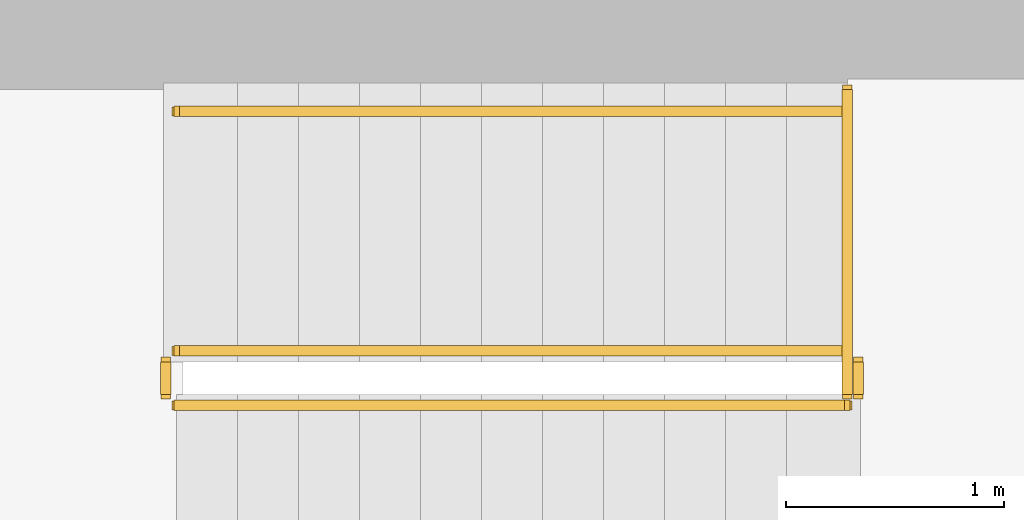
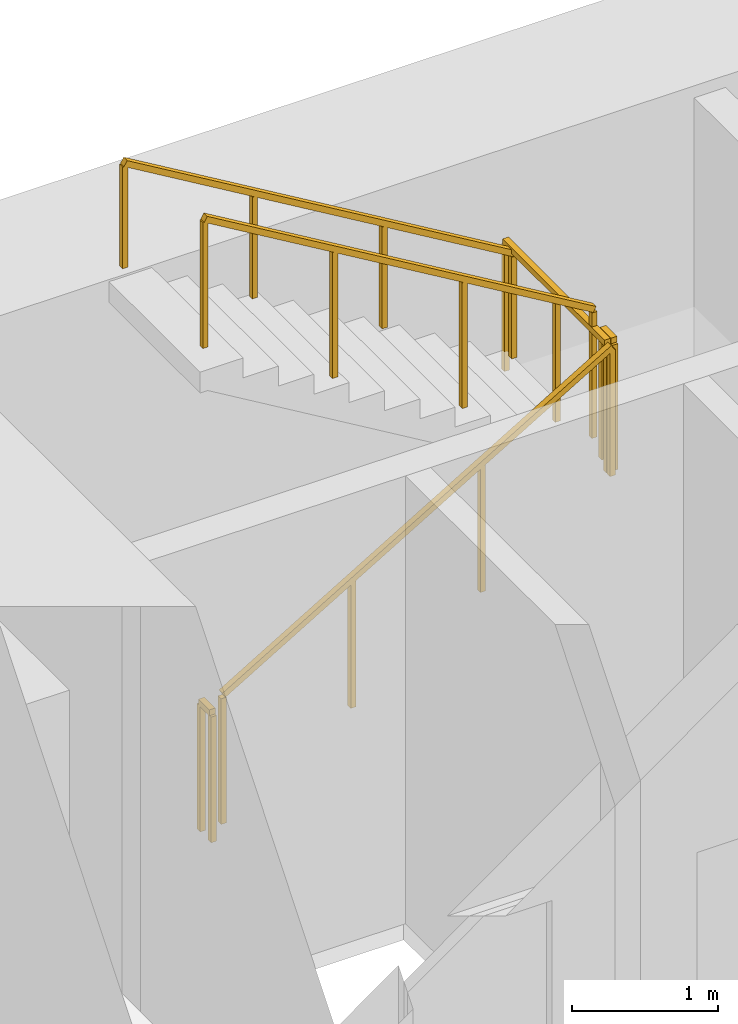
# One storey, part 15 of 16: 6 railings.
"""IFC4 building model written with IfcOpenShell, lengths in metres."""

from ifc_helpers import new_model, si_unit, direction, frame, origin, origin_2d, place, context, subcontext, project, spatial, rectangle, extrude, material, type_object, element, save


model = new_model("IFC4")

# Units and contexts
model_context = context("Model", 3, precision=1e-05, world=origin(), true_north=direction((0.0, 1.0)))
body_context = subcontext(model_context, "Body", "Model", "MODEL_VIEW")
ifc_project = project(units=[si_unit("LENGTHUNIT", "METRE"), si_unit("AREAUNIT", "SQUARE_METRE"), si_unit("VOLUMEUNIT", "CUBIC_METRE"), si_unit("PLANEANGLEUNIT", "RADIAN"), si_unit("MASSUNIT", "GRAM", prefix="KILO")], contexts=[model_context])

# Site, building, storey
site_placement = place(None, origin())
site = spatial("IfcSite", under=ifc_project, at=site_placement, CompositionType="ELEMENT")
building_placement = place(site_placement, origin())
building = spatial("IfcBuilding", under=site, at=building_placement, Name="Sennacour Bend Tower", CompositionType="ELEMENT")
storey_placement = place(building_placement, frame((0.0, 0.0, 127.0)))
storey = spatial("IfcBuildingStorey", under=building, at=storey_placement, Name="L29", CompositionType="ELEMENT", Elevation=127.0)

# Railings
ifc_material = material(Name="Stainless steel", Category="steel")
railing_type_1 = type_object("IfcRailingType", Name="RL-GUARD-1100", PredefinedType="GUARDRAIL", material=ifc_material)
railing_1_placement = place(storey_placement, frame((56.699951171875, 19.85009765625, 0.166748046875)))
element("IfcRailing", 1, at=railing_1_placement, inside=storey, type_object=railing_type_1, Name="L29 SA2 stair guard 1", PredefinedType="GUARDRAIL", context=body_context, shape_type="SweptSolid", body=[
    extrude(rectangle(XDim=0.048095703125, YDim=0.048095703125, at=origin_2d()), frame((0.0, 0.0, 1.076171875), z_axis=(0.859308565015, 0.0, 0.511457515432), x_axis=(0.0, 1.0, 0.0)), (0.0, 0.0, 1.0), 3.58447265625),
    extrude(rectangle(XDim=0.0419921875, YDim=0.0419921875, at=origin_2d()), origin(), (0.0, 0.0, 1.0), 1.052001953125),
    extrude(rectangle(XDim=0.0419921875, YDim=0.0419921875, at=origin_2d()), frame((1.026611328125, 0.0, 0.611083984375)), (0.0, 0.0, 1.0), 1.052001953125),
    extrude(rectangle(XDim=0.0419921875, YDim=0.0419921875, at=origin_2d()), frame((2.053466796875, 0.0, 1.22216796875)), (0.0, 0.0, 1.0), 1.052001953125),
    extrude(rectangle(XDim=0.0419921875, YDim=0.0419921875, at=origin_2d()), frame((3.080078125, 0.0, 1.833251953125)), (0.0, 0.0, 1.0), 1.052001953125),
])
railing_2_placement = place(storey_placement, frame((59.830078125, 19.89990234375, 2.0)))
element("IfcRailing", 2, at=railing_2_placement, inside=storey, type_object=railing_type_1, Name="L29 SA2 stair guard 2", PredefinedType="GUARDRAIL", context=body_context, shape_type="SweptSolid", body=[
    extrude(rectangle(XDim=0.048095703125, YDim=0.048095703125, at=origin_2d()), frame((0.0, 0.0, 1.076171875), z_axis=(0.0, 1.0, 0.0), x_axis=(-1.0, 0.0, 0.0)), (0.0, 0.0, 1.0), 0.150146484375),
    extrude(rectangle(XDim=0.0419921875, YDim=0.0419921875, at=origin_2d()), origin(), (0.0, 0.0, 1.0), 1.052001953125),
    extrude(rectangle(XDim=0.0419921875, YDim=0.0419921875, at=origin_2d()), frame((0.0, 0.150146484375, 0.0)), (0.0, 0.0, 1.0), 1.052001953125),
])
railing_3_placement = place(storey_placement, frame((59.780029296875, 20.10009765625, 2.166748046875)))
element("IfcRailing", 3, at=railing_3_placement, inside=storey, type_object=railing_type_1, Name="L29 SA2 stair guard 4", PredefinedType="GUARDRAIL", context=body_context, shape_type="SweptSolid", body=[
    extrude(rectangle(XDim=0.048095703125, YDim=0.048095703125, at=origin_2d()), frame((0.0, 0.0, 1.076171875), z_axis=(-0.859308565015, 0.0, 0.511457515432), x_axis=(0.0, -1.0, 0.0)), (0.0, 0.0, 1.0), 3.58447265625),
    extrude(rectangle(XDim=0.0419921875, YDim=0.0419921875, at=origin_2d()), origin(), (0.0, 0.0, 1.0), 1.052001953125),
    extrude(rectangle(XDim=0.0419921875, YDim=0.0419921875, at=origin_2d()), frame((-1.026611328125, 0.0, 0.611083984375)), (0.0, 0.0, 1.0), 1.052001953125),
    extrude(rectangle(XDim=0.0419921875, YDim=0.0419921875, at=origin_2d()), frame((-2.053466796875, 0.0, 1.22216796875)), (0.0, 0.0, 1.0), 1.052001953125),
    extrude(rectangle(XDim=0.0419921875, YDim=0.0419921875, at=origin_2d()), frame((-3.080078125, 0.0, 1.833251953125)), (0.0, 0.0, 1.0), 1.052001953125),
])
railing_4_placement = place(storey_placement, frame((56.64990234375, 19.89990234375, 0.0)))
element("IfcRailing", 4, at=railing_4_placement, inside=storey, type_object=railing_type_1, Name="L29 SA2 stair guard 5", PredefinedType="GUARDRAIL", context=body_context, shape_type="SweptSolid", body=[
    extrude(rectangle(XDim=0.048095703125, YDim=0.048095703125, at=origin_2d()), frame((0.0, 0.0, 1.076171875), z_axis=(0.0, 1.0, 0.0), x_axis=(-1.0, 0.0, 0.0)), (0.0, 0.0, 1.0), 0.150146484375),
    extrude(rectangle(XDim=0.0419921875, YDim=0.0419921875, at=origin_2d()), origin(), (0.0, 0.0, 1.0), 1.052001953125),
    extrude(rectangle(XDim=0.0419921875, YDim=0.0419921875, at=origin_2d()), frame((0.0, 0.150146484375, 0.0)), (0.0, 0.0, 1.0), 1.052001953125),
])
railing_5_placement = place(storey_placement, frame((59.780029296875, 19.89990234375, 2.0)))
element("IfcRailing", 5, at=railing_5_placement, inside=storey, type_object=railing_type_1, Name="L29 SA2 landing edge guard 42", PredefinedType="GUARDRAIL", context=body_context, shape_type="SweptSolid", body=[
    extrude(rectangle(XDim=0.048095703125, YDim=0.048095703125, at=origin_2d()), frame((0.0, 0.0, 1.076171875), z_axis=(0.0, 1.0, 0.0), x_axis=(-1.0, 0.0, 0.0)), (0.0, 0.0, 1.0), 1.400146484375),
    extrude(rectangle(XDim=0.0419921875, YDim=0.0419921875, at=origin_2d()), origin(), (0.0, 0.0, 1.0), 1.052001953125),
    extrude(rectangle(XDim=0.0419921875, YDim=0.0419921875, at=origin_2d()), frame((0.0, 0.7001953125, 0.0)), (0.0, 0.0, 1.0), 1.052001953125),
    extrude(rectangle(XDim=0.0419921875, YDim=0.0419921875, at=origin_2d()), frame((0.0, 1.400146484375, 0.0)), (0.0, 0.0, 1.0), 1.052001953125),
])
railing_type_2 = type_object("IfcRailingType", Name="RL-HANDRAIL-900", PredefinedType="HANDRAIL", material=ifc_material)
railing_6_placement = place(storey_placement, frame((59.780029296875, 21.199951171875, 2.166748046875)))
element("IfcRailing", 6, at=railing_6_placement, inside=storey, type_object=railing_type_2, Name="L29 SA2 stair handrail 2", PredefinedType="HANDRAIL", context=body_context, shape_type="SweptSolid", body=[
    extrude(rectangle(XDim=0.048095703125, YDim=0.048095703125, at=origin_2d()), frame((0.0, 0.0, 0.8759765625), z_axis=(-0.859308565015, 0.0, 0.511457515432), x_axis=(0.0, -1.0, 0.0)), (0.0, 0.0, 1.0), 3.58447265625),
    extrude(rectangle(XDim=0.0419921875, YDim=0.0419921875, at=origin_2d()), origin(), (0.0, 0.0, 1.0), 0.851806640625),
    extrude(rectangle(XDim=0.0419921875, YDim=0.0419921875, at=origin_2d()), frame((-1.026611328125, 0.0, 0.611083984375)), (0.0, 0.0, 1.0), 0.851806640625),
    extrude(rectangle(XDim=0.0419921875, YDim=0.0419921875, at=origin_2d()), frame((-2.053466796875, 0.0, 1.22216796875)), (0.0, 0.0, 1.0), 0.851806640625),
    extrude(rectangle(XDim=0.0419921875, YDim=0.0419921875, at=origin_2d()), frame((-3.080078125, 0.0, 1.833251953125)), (0.0, 0.0, 1.0), 0.851806640625),
])

save(model, "model.ifc")
